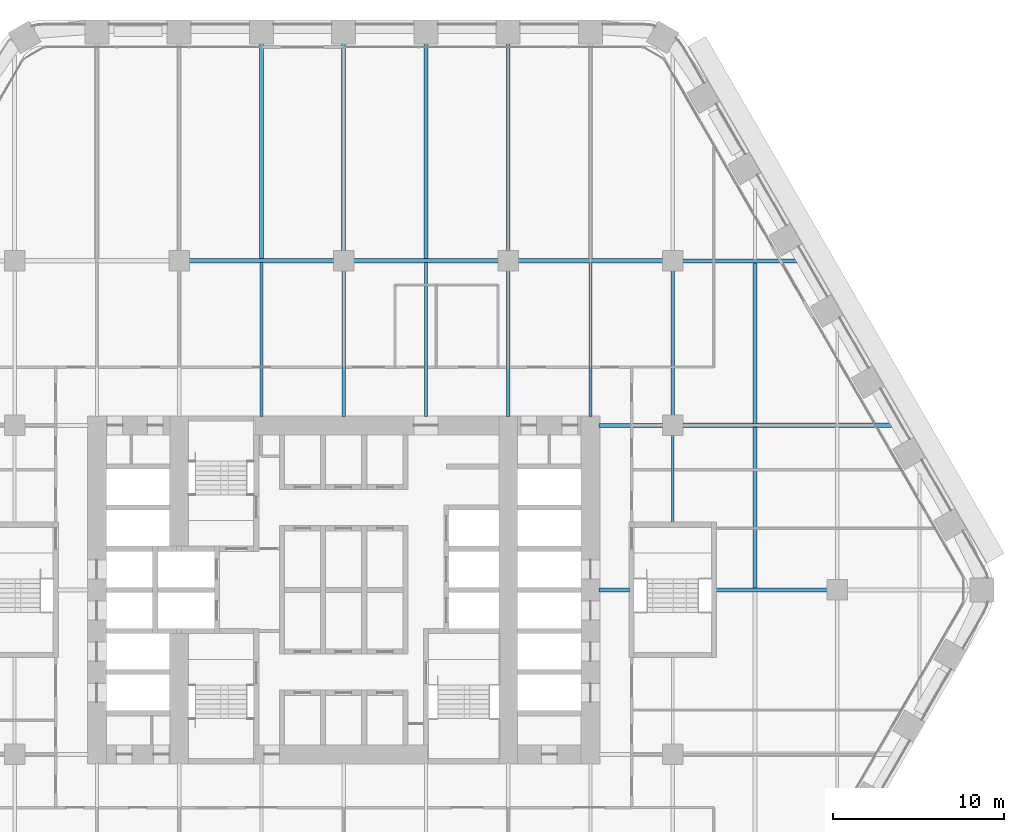
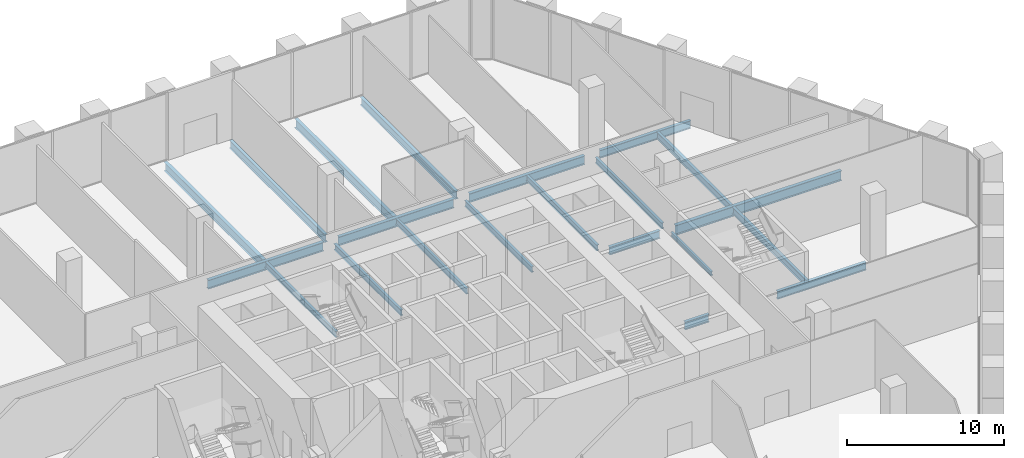
# One storey, part 9 of 27: 21 beams.
"""IFC4 building model written with IfcOpenShell, lengths in metres."""

from ifc_helpers import new_model, si_unit, direction, frame, origin, origin_2d, place, context, subcontext, project, spatial, i_section, extrude, material, material_profile, profile_set, type_object, element, save


model = new_model("IFC4")

# Units and contexts
model_context = context("Model", 3, precision=1e-05, world=origin(), true_north=direction((0.0, 1.0)))
body_context = subcontext(model_context, "Body", "Model", "MODEL_VIEW")
ifc_project = project(units=[si_unit("LENGTHUNIT", "METRE"), si_unit("AREAUNIT", "SQUARE_METRE"), si_unit("VOLUMEUNIT", "CUBIC_METRE"), si_unit("PLANEANGLEUNIT", "RADIAN"), si_unit("MASSUNIT", "GRAM", prefix="KILO")], contexts=[model_context])

# Site, building, storey
site_placement = place(None, origin())
site = spatial("IfcSite", under=ifc_project, at=site_placement, CompositionType="ELEMENT")
building_placement = place(site_placement, origin())
building = spatial("IfcBuilding", under=site, at=building_placement, Name="Kolab Exchange Tower", CompositionType="ELEMENT")
storey_placement = place(building_placement, frame((0.0, 0.0, 22.39990234375)))
storey = spatial("IfcBuildingStorey", under=building, at=storey_placement, Name="L04", CompositionType="ELEMENT", Elevation=22.39990234375)

# Beams
ifc_material = material(Name="Steel S355", Category="steel")
ifc_material_profile_1 = material_profile(ifc_material, i_section(OverallWidth=0.1650390625, OverallDepth=0.31005859375, WebThickness=0.005859375, FlangeThickness=0.009765625, at=origin_2d()), Name="W310X39")
ifc_profile_set_1 = profile_set([ifc_material_profile_1], Name="Steel S355")
beam_type_1 = type_object("IfcBeamType", Name="FLOOR BEAM W310X39", PredefinedType="BEAM", material=ifc_profile_set_1)
beam_1_placement = place(storey_placement, frame((19.199951171875, 3.909912109375, -0.40478515625), z_axis=(0.0, 1.0, 0.0), x_axis=(-1.0, 0.0, 0.0)))
element("IfcBeam", 1, at=beam_1_placement, inside=storey, type_object=beam_type_1, Name="beam/L04/fr/049", PredefinedType="BEAM", context=body_context, shape_type="SweptSolid", body=[
    extrude(i_section(OverallWidth=0.1650390625, OverallDepth=0.31005859375, WebThickness=0.005859375, FlangeThickness=0.009765625, at=origin_2d()), origin(), (0.0, 0.0, 1.0), 5.130126953125),
])
ifc_material_profile_2 = material_profile(ifc_material, i_section(OverallWidth=0.18994140625, OverallDepth=0.45703125, WebThickness=0.009033203125, FlangeThickness=0.014404296875, at=origin_2d()), Name="W460X74")
ifc_profile_set_2 = profile_set([ifc_material_profile_2], Name="Steel S355")
beam_type_2 = type_object("IfcBeamType", Name="FLOOR BEAM W460X74", PredefinedType="BEAM", material=ifc_profile_set_2)
beam_2_placement = place(storey_placement, frame((-4.800048828125, 10.110107421875, -0.478515625), z_axis=(0.0, 1.0, 0.0), x_axis=(-1.0, 0.0, 0.0)))
element("IfcBeam", 2, at=beam_2_placement, inside=storey, type_object=beam_type_2, Name="beam/L04/fr/028", PredefinedType="BEAM", context=body_context, shape_type="SweptSolid", body=[
    extrude(i_section(OverallWidth=0.18994140625, OverallDepth=0.45703125, WebThickness=0.009033203125, FlangeThickness=0.014404296875, at=origin_2d()), origin(), (0.0, 0.0, 1.0), 9.0029296875),
])
beam_3_placement = place(storey_placement, frame((0.0, 10.110107421875, -0.478515625), z_axis=(0.0, 1.0, 0.0), x_axis=(-1.0, 0.0, 0.0)))
element("IfcBeam", 3, at=beam_3_placement, inside=storey, type_object=beam_type_2, Name="beam/L04/fr/032", PredefinedType="BEAM", context=body_context, shape_type="SweptSolid", body=[
    extrude(i_section(OverallWidth=0.18994140625, OverallDepth=0.45703125, WebThickness=0.009033203125, FlangeThickness=0.014404296875, at=origin_2d()), origin(), (0.0, 0.0, 1.0), 8.52978515625),
])
beam_4_placement = place(storey_placement, frame((4.800048828125, 10.110107421875, -0.478515625), z_axis=(0.0, 1.0, 0.0), x_axis=(-1.0, 0.0, 0.0)))
element("IfcBeam", 4, at=beam_4_placement, inside=storey, type_object=beam_type_2, Name="beam/L04/fr/036", PredefinedType="BEAM", context=body_context, shape_type="SweptSolid", body=[
    extrude(i_section(OverallWidth=0.18994140625, OverallDepth=0.45703125, WebThickness=0.009033203125, FlangeThickness=0.014404296875, at=origin_2d()), origin(), (0.0, 0.0, 1.0), 9.0029296875),
])
beam_5_placement = place(storey_placement, frame((9.60009765625, 10.110107421875, -0.478515625), z_axis=(0.0, 1.0, 0.0), x_axis=(-1.0, 0.0, 0.0)))
element("IfcBeam", 5, at=beam_5_placement, inside=storey, type_object=beam_type_2, Name="beam/L04/fr/040", PredefinedType="BEAM", context=body_context, shape_type="SweptSolid", body=[
    extrude(i_section(OverallWidth=0.18994140625, OverallDepth=0.45703125, WebThickness=0.009033203125, FlangeThickness=0.014404296875, at=origin_2d()), origin(), (0.0, 0.0, 1.0), 8.52978515625),
])
beam_6_placement = place(storey_placement, frame((14.39990234375, 10.110107421875, -0.478515625), z_axis=(0.0, 1.0, 0.0), x_axis=(-1.0, 0.0, 0.0)))
element("IfcBeam", 6, at=beam_6_placement, inside=storey, type_object=beam_type_2, Name="beam/L04/fr/044", PredefinedType="BEAM", context=body_context, shape_type="SweptSolid", body=[
    extrude(i_section(OverallWidth=0.18994140625, OverallDepth=0.45703125, WebThickness=0.009033203125, FlangeThickness=0.014404296875, at=origin_2d()), origin(), (0.0, 0.0, 1.0), 9.0029296875),
])
beam_7_placement = place(storey_placement, frame((19.199951171875, 10.159912109375, -0.478515625), z_axis=(0.0, 1.0, 0.0), x_axis=(-1.0, 0.0, 0.0)))
element("IfcBeam", 7, at=beam_7_placement, inside=storey, type_object=beam_type_2, Name="beam/L04/fr/050", PredefinedType="BEAM", context=body_context, shape_type="SweptSolid", body=[
    extrude(i_section(OverallWidth=0.18994140625, OverallDepth=0.45703125, WebThickness=0.009033203125, FlangeThickness=0.014404296875, at=origin_2d()), origin(), (0.0, 0.0, 1.0), 8.47998046875),
])
ifc_material_profile_3 = material_profile(ifc_material, i_section(OverallWidth=0.208984375, OverallDepth=0.532958984375, WebThickness=0.01025390625, FlangeThickness=0.015625, at=origin_2d()), Name="W530X92")
ifc_profile_set_3 = profile_set([ifc_material_profile_3], Name="Steel S355")
beam_type_3 = type_object("IfcBeamType", Name="FLOOR BEAM W530X92", PredefinedType="BEAM", material=ifc_profile_set_3)
beam_8_placement = place(storey_placement, frame((24.0, 0.073974609375, -0.516357421875), z_axis=(0.0, 1.0, 0.0), x_axis=(-1.0, 0.0, 0.0)))
element("IfcBeam", 8, at=beam_8_placement, inside=storey, type_object=beam_type_3, Name="beam/L04/fr/055", PredefinedType="BEAM", context=body_context, shape_type="SweptSolid", body=[
    extrude(i_section(OverallWidth=0.208984375, OverallDepth=0.532958984375, WebThickness=0.01025390625, FlangeThickness=0.015625, at=origin_2d()), origin(), (0.0, 0.0, 1.0), 9.4326171875),
])
beam_9_placement = place(storey_placement, frame((24.0, 9.693603515625, -0.516357421875), z_axis=(0.0, 1.0, 0.0), x_axis=(-1.0, 0.0, 0.0)))
element("IfcBeam", 9, at=beam_9_placement, inside=storey, type_object=beam_type_3, Name="beam/L04/fr/056", PredefinedType="BEAM", context=body_context, shape_type="SweptSolid", body=[
    extrude(i_section(OverallWidth=0.208984375, OverallDepth=0.532958984375, WebThickness=0.01025390625, FlangeThickness=0.015625, at=origin_2d()), origin(), (0.0, 0.0, 1.0), 9.432373046875),
])
ifc_material_profile_4 = material_profile(ifc_material, i_section(OverallWidth=0.22802734375, OverallDepth=0.60791015625, WebThickness=0.01123046875, FlangeThickness=0.017333984375, at=origin_2d()), Name="W610X113")
ifc_profile_set_4 = profile_set([ifc_material_profile_4], Name="Steel S355")
beam_type_4 = type_object("IfcBeamType", Name="FLOOR BEAM W610X113", PredefinedType="BEAM", material=ifc_profile_set_4)
for number, where, z_axis, x_axis, name in (
    (10, (0.0, 19.760009765625, -0.553955078125), (0.0, 1.0, 0.0), (-1.0, 0.0, 0.0), "beam/L04/fr/033"),
    (11, (9.60009765625, 19.760009765625, -0.553955078125), (0.0, 1.0, 0.0), (-1.0, 0.0, 0.0), "beam/L04/fr/041"),
):
    element("IfcBeam", number, at=place(storey_placement, frame(where, z_axis=z_axis, x_axis=x_axis)), inside=storey, type_object=beam_type_4, Name=name, PredefinedType="BEAM", context=body_context, shape_type="SweptSolid", body=[
        extrude(i_section(OverallWidth=0.22802734375, OverallDepth=0.60791015625, WebThickness=0.01123046875, FlangeThickness=0.017333984375, at=origin_2d()), origin(), (0.0, 0.0, 1.0), 12.135498046875),
    ])
ifc_material_profile_5 = material_profile(ifc_material, i_section(OverallWidth=0.25390625, OverallDepth=0.68408203125, WebThickness=0.012451171875, FlangeThickness=0.018798828125, at=origin_2d()), Name="W690X140")
ifc_profile_set_5 = profile_set([ifc_material_profile_5], Name="Steel S355")
beam_type_5 = type_object("IfcBeamType", Name="FLOOR BEAM W690X140", PredefinedType="BEAM", material=ifc_profile_set_5)
for number, where, z_axis, x_axis, name in (
    (12, (-4.800048828125, 19.287109375, -0.591796875), (0.0, 1.0, 0.0), (-1.0, 0.0, 0.0), "beam/L04/fr/029"),
    (13, (4.800048828125, 19.287109375, -0.591796875), (0.0, 1.0, 0.0), (-1.0, 0.0, 0.0), "beam/L04/fr/037"),
):
    element("IfcBeam", number, at=place(storey_placement, frame(where, z_axis=z_axis, x_axis=x_axis)), inside=storey, type_object=beam_type_5, Name=name, PredefinedType="BEAM", context=body_context, shape_type="SweptSolid", body=[
        extrude(i_section(OverallWidth=0.25390625, OverallDepth=0.68408203125, WebThickness=0.012451171875, FlangeThickness=0.018798828125, at=origin_2d()), origin(), (0.0, 0.0, 1.0), 12.6083984375),
    ])
ifc_material_profile_6 = material_profile(ifc_material, i_section(OverallWidth=0.22802734375, OverallDepth=0.60791015625, WebThickness=0.01123046875, FlangeThickness=0.017333984375, at=origin_2d()), Name="W610X113")
ifc_profile_set_6 = profile_set([ifc_material_profile_6], Name="Steel S355")
beam_type_6 = type_object("IfcBeamType", Name="FLOOR GIRDER W610X113", PredefinedType="BEAM", material=ifc_profile_set_6)
beam_10_placement = place(storey_placement, frame((14.909912109375, 0.0, -0.553955078125), z_axis=(1.0, 0.0, 0.0), x_axis=(0.0, 1.0, 0.0)))
element("IfcBeam", 14, at=beam_10_placement, inside=storey, type_object=beam_type_6, Name="beam/L04/gd/018", PredefinedType="BEAM", context=body_context, shape_type="SweptSolid", body=[
    extrude(i_section(OverallWidth=0.22802734375, OverallDepth=0.60791015625, WebThickness=0.01123046875, FlangeThickness=0.017333984375, at=origin_2d()), origin(), (0.0, 0.0, 1.0), 1.780029296875),
])
beam_11_placement = place(storey_placement, frame((14.909912109375, 9.60009765625, -0.553955078125), z_axis=(1.0, 0.0, 0.0), x_axis=(0.0, 1.0, 0.0)))
element("IfcBeam", 15, at=beam_11_placement, inside=storey, type_object=beam_type_6, Name="beam/L04/gd/019", PredefinedType="BEAM", context=body_context, shape_type="SweptSolid", body=[
    extrude(i_section(OverallWidth=0.22802734375, OverallDepth=0.60791015625, WebThickness=0.01123046875, FlangeThickness=0.017333984375, at=origin_2d()), origin(), (0.0, 0.0, 1.0), 3.72998046875),
])
beam_12_placement = place(storey_placement, frame((19.760009765625, 19.199951171875, -0.553955078125), z_axis=(1.0, 0.0, 0.0), x_axis=(0.0, 1.0, 0.0)))
element("IfcBeam", 16, at=beam_12_placement, inside=storey, type_object=beam_type_6, Name="beam/L04/gd/023", PredefinedType="BEAM", context=body_context, shape_type="SweptSolid", body=[
    extrude(i_section(OverallWidth=0.22802734375, OverallDepth=0.60791015625, WebThickness=0.01123046875, FlangeThickness=0.017333984375, at=origin_2d()), origin(), (0.0, 0.0, 1.0), 6.671142578125),
])
beam_13_placement = place(storey_placement, frame((21.7099609375, 0.0, -0.553955078125), z_axis=(1.0, 0.0, 0.0), x_axis=(0.0, 1.0, 0.0)))
element("IfcBeam", 17, at=beam_13_placement, inside=storey, type_object=beam_type_6, Name="beam/L04/gd/024", PredefinedType="BEAM", context=body_context, shape_type="SweptSolid", body=[
    extrude(i_section(OverallWidth=0.22802734375, OverallDepth=0.60791015625, WebThickness=0.01123046875, FlangeThickness=0.017333984375, at=origin_2d()), origin(), (0.0, 0.0, 1.0), 6.530029296875),
])
ifc_material_profile_7 = material_profile(ifc_material, i_section(OverallWidth=0.25390625, OverallDepth=0.68408203125, WebThickness=0.012451171875, FlangeThickness=0.018798828125, at=origin_2d()), Name="W690X140")
ifc_profile_set_7 = profile_set([ifc_material_profile_7], Name="Steel S355")
beam_type_7 = type_object("IfcBeamType", Name="FLOOR GIRDER W690X140", PredefinedType="BEAM", material=ifc_profile_set_7)
for number, where, z_axis, x_axis, name in (
    (18, (-9.0400390625, 19.199951171875, -0.591796875), (1.0, 0.0, 0.0), (0.0, 1.0, 0.0), "beam/L04/gd/012"),
    (19, (0.56005859375, 19.199951171875, -0.591796875), (1.0, 0.0, 0.0), (0.0, 1.0, 0.0), "beam/L04/gd/014"),
    (20, (10.159912109375, 19.199951171875, -0.591796875), (1.0, 0.0, 0.0), (0.0, 1.0, 0.0), "beam/L04/gd/016"),
):
    element("IfcBeam", number, at=place(storey_placement, frame(where, z_axis=z_axis, x_axis=x_axis)), inside=storey, type_object=beam_type_7, Name=name, PredefinedType="BEAM", context=body_context, shape_type="SweptSolid", body=[
        extrude(i_section(OverallWidth=0.25390625, OverallDepth=0.68408203125, WebThickness=0.012451171875, FlangeThickness=0.018798828125, at=origin_2d()), origin(), (0.0, 0.0, 1.0), 8.47998046875),
    ])
ifc_material_profile_8 = material_profile(ifc_material, i_section(OverallWidth=0.26708984375, OverallDepth=0.761962890625, WebThickness=0.014404296875, FlangeThickness=0.021484375, at=origin_2d()), Name="W760X173")
ifc_profile_set_8 = profile_set([ifc_material_profile_8], Name="Steel S355")
beam_type_8 = type_object("IfcBeamType", Name="FLOOR GIRDER W760X173", PredefinedType="BEAM", material=ifc_profile_set_8)
beam_14_placement = place(storey_placement, frame((19.760009765625, 9.60009765625, -0.630859375), z_axis=(1.0, 0.0, 0.0), x_axis=(0.0, 1.0, 0.0)))
element("IfcBeam", 21, at=beam_14_placement, inside=storey, type_object=beam_type_8, Name="beam/L04/gd/022", PredefinedType="BEAM", context=body_context, shape_type="SweptSolid", body=[
    extrude(i_section(OverallWidth=0.26708984375, OverallDepth=0.761962890625, WebThickness=0.014404296875, FlangeThickness=0.021484375, at=origin_2d()), origin(), (0.0, 0.0, 1.0), 12.213623046875),
])

save(model, "model.ifc")
